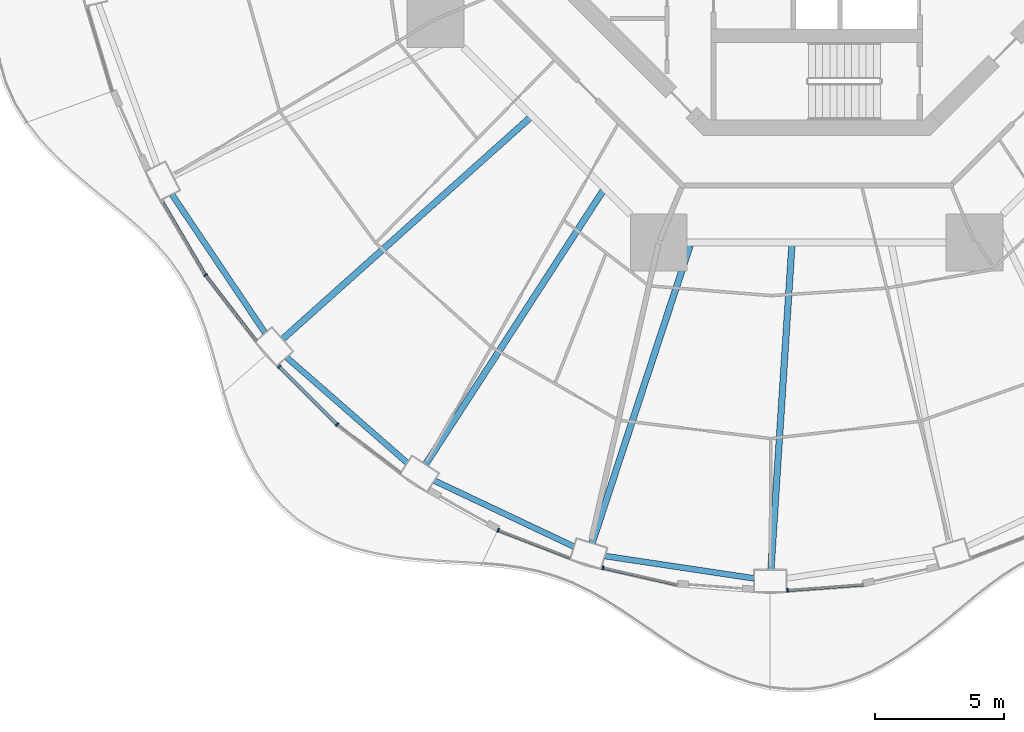
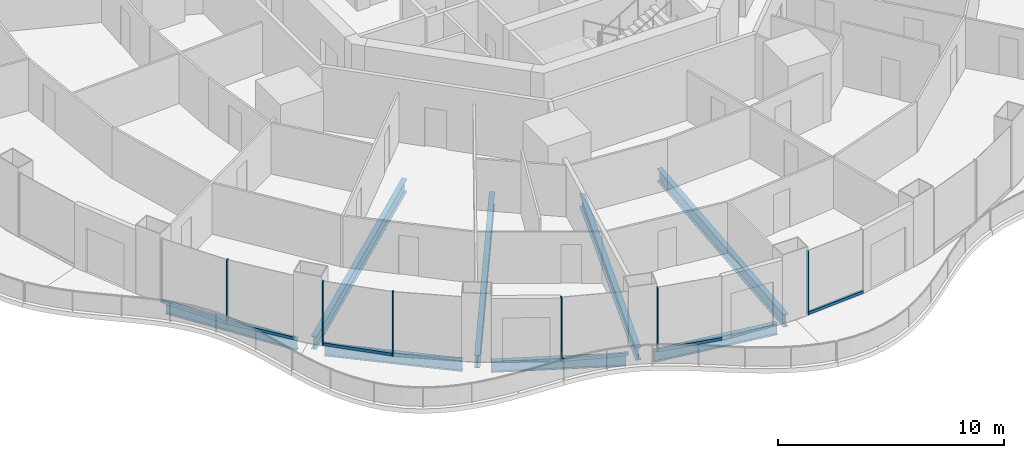
# One storey, part 2 of 24: 12 members, 8 beams, 7 elements without a shape of their own.
"""IFC4 building model written with IfcOpenShell, lengths in metres."""

from ifc_helpers import new_model, si_unit, direction, frame, origin, origin_2d, place, context, subcontext, project, spatial, rectangle, i_section, extrude, material, layer, layer_set, material_profile, profile_set, type_object, element, aggregate, save


model = new_model("IFC4")

# Units and contexts
model_context = context("Model", 3, precision=1e-05, world=origin(), true_north=direction((0.0, 1.0)))
body_context = subcontext(model_context, "Body", "Model", "MODEL_VIEW")
ifc_project = project(units=[si_unit("LENGTHUNIT", "METRE"), si_unit("AREAUNIT", "SQUARE_METRE"), si_unit("VOLUMEUNIT", "CUBIC_METRE"), si_unit("PLANEANGLEUNIT", "RADIAN"), si_unit("MASSUNIT", "GRAM", prefix="KILO")], contexts=[model_context])

# Site, building, storey
site_placement = place(None, origin())
site = spatial("IfcSite", under=ifc_project, at=site_placement, CompositionType="ELEMENT")
building_placement = place(site_placement, origin())
building = spatial("IfcBuilding", under=site, at=building_placement, Name="Nagisa Residences", CompositionType="ELEMENT")
storey_placement = place(building_placement, frame((0.0, 0.0, 102.89990234375)))
storey = spatial("IfcBuildingStorey", under=building, at=storey_placement, Name="L25", CompositionType="ELEMENT", Elevation=102.89990234375)

# Curtain wall, member
ifc_material_1 = material(Name="Concrete-coloured aluminium curtain wall system", Category="concrete")
ifc_layer = layer(ifc_material_1, 0.159912109375)
ifc_layer_set = layer_set([ifc_layer], Name="CW1 CURTAIN WALL")
curtain_wall_type = type_object("IfcCurtainWallType", Name="CW1 CURTAIN WALL", PredefinedType="NOTDEFINED", material=ifc_layer_set)
curtain_wall_1_placement = place(storey_placement, origin())
curtain_wall_1 = element("IfcCurtainWall", 1, at=curtain_wall_1_placement, inside=storey, type_object=curtain_wall_type, Name="cw:CW1:L25:29", PredefinedType="NOTDEFINED")
ifc_material_2 = material(Name="Concrete-coloured aluminium", Category="concrete")
ifc_material_profile_1 = material_profile(ifc_material_2, rectangle(XDim=0.159912109375, YDim=0.06005859375, at=origin_2d()), Name="CW1 MULLION 160x60")
ifc_profile_set_1 = profile_set([ifc_material_profile_1], Name="Concrete-coloured aluminium")
member_type_1 = type_object("IfcMemberType", Name="CW1 MULLION 160x60", PredefinedType="MULLION", material=ifc_profile_set_1)
member_1_placement = place(storey_placement, frame((-23.690185546875, -16.042236328125, 0.0), z_axis=(0.0, 0.0, 1.0), x_axis=(0.792070340816, 0.610429828235, 0.0)))
member_1 = element("IfcMember", 2, at=member_1_placement, type_object=member_type_1, Name="CW1 mullion", PredefinedType="MULLION", context=body_context, shape_type="SweptSolid", body=[
    extrude(rectangle(XDim=0.159912109375, YDim=0.06005859375, at=origin_2d()), origin(), (0.0, 0.0, 1.0), 3.440185546875),
])

curtain_wall_2_placement = place(storey_placement, origin())
curtain_wall_2 = element("IfcCurtainWall", 3, at=curtain_wall_2_placement, inside=storey, type_object=curtain_wall_type, Name="cw:CW1:L25:30", PredefinedType="NOTDEFINED")
member_2_placement = place(storey_placement, frame((-20.845458984375, -19.590576171875, 0.0), z_axis=(0.0, 0.0, 1.0), x_axis=(0.706376885714, 0.707835924016, 0.0)))
member_2 = element("IfcMember", 4, at=member_2_placement, type_object=member_type_1, Name="CW1 mullion", PredefinedType="MULLION", context=body_context, shape_type="SweptSolid", body=[
    extrude(rectangle(XDim=0.159912109375, YDim=0.06005859375, at=origin_2d()), origin(), (0.0, 0.0, 1.0), 3.440185546875),
])

curtain_wall_3_placement = place(storey_placement, origin())
curtain_wall_3 = element("IfcCurtainWall", 5, at=curtain_wall_3_placement, inside=storey, type_object=curtain_wall_type, Name="cw:CW1:L25:31", PredefinedType="NOTDEFINED")
member_3_placement = place(storey_placement, frame((-18.58740234375, -21.83935546875, 0.0), z_axis=(0.0, 0.0, 1.0), x_axis=(0.605255421737, 0.79603132756, 0.0)))
member_3 = element("IfcMember", 6, at=member_3_placement, type_object=member_type_1, Name="CW1 mullion", PredefinedType="MULLION", context=body_context, shape_type="SweptSolid", body=[
    extrude(rectangle(XDim=0.159912109375, YDim=0.06005859375, at=origin_2d()), origin(), (0.0, 0.0, 1.0), 3.440185546875),
])
aggregate(curtain_wall_3, [member_3])

curtain_wall_4_placement = place(storey_placement, origin())
curtain_wall_4 = element("IfcCurtainWall", 7, at=curtain_wall_4_placement, inside=storey, type_object=curtain_wall_type, Name="cw:CW1:L25:33", PredefinedType="NOTDEFINED")
member_4_placement = place(storey_placement, frame((-12.341552734375, -25.9345703125, 0.0), z_axis=(0.0, 0.0, 1.0), x_axis=(0.360327770268, 0.932825759707, 0.0)))
member_4 = element("IfcMember", 8, at=member_4_placement, type_object=member_type_1, Name="CW1 mullion", PredefinedType="MULLION", context=body_context, shape_type="SweptSolid", body=[
    extrude(rectangle(XDim=0.159912109375, YDim=0.06005859375, at=origin_2d()), origin(), (0.0, 0.0, 1.0), 3.440185546875),
])

curtain_wall_5_placement = place(storey_placement, origin())
curtain_wall_5 = element("IfcCurtainWall", 9, at=curtain_wall_5_placement, inside=storey, type_object=curtain_wall_type, Name="cw:CW1:L25:34", PredefinedType="NOTDEFINED")
member_5_placement = place(storey_placement, frame((-8.287109375, -27.3955078125, 0.0), z_axis=(0.0, 0.0, 1.0), x_axis=(0.2207639201, 0.975327274089, 0.0)))
member_5 = element("IfcMember", 10, at=member_5_placement, type_object=member_type_1, Name="CW1 mullion", PredefinedType="MULLION", context=body_context, shape_type="SweptSolid", body=[
    extrude(rectangle(XDim=0.159912109375, YDim=0.06005859375, at=origin_2d()), origin(), (0.0, 0.0, 1.0), 3.440185546875),
])

curtain_wall_6_placement = place(storey_placement, origin())
curtain_wall_6 = element("IfcCurtainWall", 11, at=curtain_wall_6_placement, inside=storey, type_object=curtain_wall_type, Name="cw:CW1:L25:36", PredefinedType="NOTDEFINED")
member_6_placement = place(storey_placement, frame((-1.1279296875, -28.266845703125, 0.0), z_axis=(0.0, 0.0, 1.0), x_axis=(-0.074377355493, 0.997230168512, 0.0)))
member_6 = element("IfcMember", 12, at=member_6_placement, type_object=member_type_1, Name="CW1 mullion", PredefinedType="MULLION", context=body_context, shape_type="SweptSolid", body=[
    extrude(rectangle(XDim=0.159912109375, YDim=0.06005859375, at=origin_2d()), origin(), (0.0, 0.0, 1.0), 3.440185546875),
])

curtain_wall_7_placement = place(storey_placement, origin())
curtain_wall_7 = element("IfcCurtainWall", 13, at=curtain_wall_7_placement, inside=storey, type_object=curtain_wall_type, Name="cw:CW1:L25:28", PredefinedType="NOTDEFINED")
ifc_material_3 = material(Name="Concrete-coloured aluminium", Category="concrete")
ifc_material_profile_2 = material_profile(ifc_material_3, rectangle(XDim=0.1201171875, YDim=0.14990234375, at=origin_2d()), Name="CW1 TRANSOM 120x150")
ifc_profile_set_2 = profile_set([ifc_material_profile_2], Name="Concrete-coloured aluminium")
member_type_2 = type_object("IfcMemberType", Name="CW1 TRANSOM 120x150", PredefinedType="USERDEFINED", material=ifc_profile_set_2)
member_7_placement = place(storey_placement, frame((-25.386474609375, -13.159912109375, 0.0751953125), z_axis=(0.506384588027, -0.862307746114, 0.0), x_axis=(0.862307746114, 0.506384588027, 0.0)))
member_7 = element("IfcMember", 14, at=member_7_placement, type_object=member_type_2, Name="CW1 transom", ObjectType="TRANSOM", PredefinedType="USERDEFINED", context=body_context, shape_type="SweptSolid", body=[
    extrude(rectangle(XDim=0.1201171875, YDim=0.14990234375, at=origin_2d()), origin(), (0.0, 0.0, 1.0), 3.32470703125),
])
aggregate(curtain_wall_7, [member_7])

# Member
member_8_placement = place(storey_placement, frame((-23.70849609375, -16.0185546875, 0.0751953125), z_axis=(0.61041202934, -0.792084057684, 0.0), x_axis=(0.792084057684, 0.61041202934, 0.0)))
member_8 = element("IfcMember", 15, at=member_8_placement, type_object=member_type_2, Name="CW1 transom", ObjectType="TRANSOM", PredefinedType="USERDEFINED", context=body_context, shape_type="SweptSolid", body=[
    extrude(rectangle(XDim=0.1201171875, YDim=0.14990234375, at=origin_2d()), origin(), (0.0, 0.0, 1.0), 3.262939453125),
])

aggregate(curtain_wall_1, [member_1, member_8])

member_9_placement = place(storey_placement, frame((-20.86669921875, -19.5693359375, 0.0751953125), z_axis=(0.707869817944, -0.706342920149, 0.0), x_axis=(0.706342920149, 0.707869817944, 0.0)))
member_9 = element("IfcMember", 16, at=member_9_placement, type_object=member_type_2, Name="CW1 transom", ObjectType="TRANSOM", PredefinedType="USERDEFINED", context=body_context, shape_type="SweptSolid", body=[
    extrude(rectangle(XDim=0.1201171875, YDim=0.14990234375, at=origin_2d()), origin(), (0.0, 0.0, 1.0), 3.19775390625),
])

aggregate(curtain_wall_2, [member_2, member_9])

member_10_placement = place(storey_placement, frame((-12.36962890625, -25.923828125, 0.0751953125), z_axis=(0.932837560624, -0.360297218263, 0.0), x_axis=(0.360297218263, 0.932837560624, 0.0)))
member_10 = element("IfcMember", 17, at=member_10_placement, type_object=member_type_2, Name="CW1 transom", ObjectType="TRANSOM", PredefinedType="USERDEFINED", context=body_context, shape_type="SweptSolid", body=[
    extrude(rectangle(XDim=0.1201171875, YDim=0.14990234375, at=origin_2d()), origin(), (0.0, 0.0, 1.0), 3.027587890625),
])

aggregate(curtain_wall_4, [member_4, member_10])

member_11_placement = place(storey_placement, frame((-8.31640625, -27.388916015625, 0.0751953125), z_axis=(0.975335171471, -0.220729026846, 0.0), x_axis=(0.220729026846, 0.975335171471, 0.0)))
member_11 = element("IfcMember", 18, at=member_11_placement, type_object=member_type_2, Name="CW1 transom", ObjectType="TRANSOM", PredefinedType="USERDEFINED", context=body_context, shape_type="SweptSolid", body=[
    extrude(rectangle(XDim=0.1201171875, YDim=0.14990234375, at=origin_2d()), origin(), (0.0, 0.0, 1.0), 2.992919921875),
])

aggregate(curtain_wall_5, [member_5, member_11])

member_12_placement = place(storey_placement, frame((-1.15771484375, -28.269287109375, 0.0751953125), z_axis=(0.997226174467, 0.074430887117, 0.0), x_axis=(-0.074430887117, 0.997226174467, 0.0)))
member_12 = element("IfcMember", 19, at=member_12_placement, type_object=member_type_2, Name="CW1 transom", ObjectType="TRANSOM", PredefinedType="USERDEFINED", context=body_context, shape_type="SweptSolid", body=[
    extrude(rectangle(XDim=0.1201171875, YDim=0.14990234375, at=origin_2d()), origin(), (0.0, 0.0, 1.0), 2.97509765625),
])

aggregate(curtain_wall_6, [member_6, member_12])

# Beams
ifc_material_4 = material(Name="Steel ASTM A572 Gr 50", Category="steel")
ifc_material_profile_3 = material_profile(ifc_material_4, i_section(OverallWidth=0.22802734375, OverallDepth=0.60302734375, WebThickness=0.010498046875, FlangeThickness=0.014892578125, at=origin_2d()), Name="W610x101")
ifc_profile_set_3 = profile_set([ifc_material_profile_3], Name="Steel ASTM A572 Gr 50")
beam_type_1 = type_object("IfcBeamType", Name="Perimeter ring beam W610x101", PredefinedType="BEAM", material=ifc_profile_set_3)
beam_1_placement = place(storey_placement, frame((-24.9970703125, -12.91650390625, -0.5615234375), z_axis=(0.558203607151, -0.829704003222, 0.0), x_axis=(0.829704003222, 0.558203607151, 0.0)))
element("IfcBeam", 20, at=beam_1_placement, inside=storey, type_object=beam_type_1, Name="beam:L25:pb15", PredefinedType="BEAM", context=body_context, shape_type="SweptSolid", body=[
    extrude(i_section(OverallWidth=0.22802734375, OverallDepth=0.60302734375, WebThickness=0.010498046875, FlangeThickness=0.014892578125, at=origin_2d()), origin(), (0.0, 0.0, 1.0), 6.4716796875),
])
beam_2_placement = place(storey_placement, frame((-20.551513671875, -19.231689453125, -0.5615234375), z_axis=(0.752542612886, -0.658543556488, 0.0), x_axis=(0.658543556488, 0.752542612886, 0.0)))
element("IfcBeam", 21, at=beam_2_placement, inside=storey, type_object=beam_type_1, Name="beam:L25:pb16", PredefinedType="BEAM", context=body_context, shape_type="SweptSolid", body=[
    extrude(i_section(OverallWidth=0.22802734375, OverallDepth=0.60302734375, WebThickness=0.010498046875, FlangeThickness=0.014892578125, at=origin_2d()), origin(), (0.0, 0.0, 1.0), 6.212646484375),
])
beam_3_placement = place(storey_placement, frame((-14.822021484375, -24.013916015625, -0.5615234375), z_axis=(0.90418952838, -0.427131474804, 0.0), x_axis=(0.427131474804, 0.90418952838, 0.0)))
element("IfcBeam", 22, at=beam_3_placement, inside=storey, type_object=beam_type_1, Name="beam:L25:pb17", PredefinedType="BEAM", context=body_context, shape_type="SweptSolid", body=[
    extrude(i_section(OverallWidth=0.22802734375, OverallDepth=0.60302734375, WebThickness=0.010498046875, FlangeThickness=0.014892578125, at=origin_2d()), origin(), (0.0, 0.0, 1.0), 5.98046875),
])
beam_4_placement = place(storey_placement, frame((-8.20849609375, -26.93505859375, -0.5615234375), z_axis=(0.988913048607, -0.148495731568, 0.0), x_axis=(0.148495731568, 0.988913048607, 0.0)))
element("IfcBeam", 23, at=beam_4_placement, inside=storey, type_object=beam_type_1, Name="beam:L25:pb18", PredefinedType="BEAM", context=body_context, shape_type="SweptSolid", body=[
    extrude(i_section(OverallWidth=0.22802734375, OverallDepth=0.60302734375, WebThickness=0.010498046875, FlangeThickness=0.014892578125, at=origin_2d()), origin(), (0.0, 0.0, 1.0), 5.843017578125),
])
ifc_material_5 = material(Name="Steel ASTM A572 Gr 50", Category="steel")
ifc_material_profile_4 = material_profile(ifc_material_5, i_section(OverallWidth=0.2529296875, OverallDepth=0.677978515625, WebThickness=0.01171875, FlangeThickness=0.016357421875, at=origin_2d()), Name="W690x125")
ifc_profile_set_4 = profile_set([ifc_material_profile_4], Name="Steel ASTM A572 Gr 50")
beam_type_2 = type_object("IfcBeamType", Name="Radial beam W690x125", PredefinedType="BEAM", material=ifc_profile_set_4)
beam_5_placement = place(storey_placement, frame((-20.709228515625, -18.526611328125, -0.598876953125), z_axis=(0.745284973843, 0.666746059428, 0.0), x_axis=(-0.666746059428, 0.745284973843, 0.0)))
element("IfcBeam", 24, at=beam_5_placement, inside=storey, type_object=beam_type_2, Name="beam:L25:rb16", PredefinedType="BEAM", context=body_context, shape_type="SweptSolid", body=[
    extrude(i_section(OverallWidth=0.2529296875, OverallDepth=0.677978515625, WebThickness=0.01171875, FlangeThickness=0.016357421875, at=origin_2d()), origin(), (0.0, 0.0, 1.0), 12.869384765625),
])
beam_6_placement = place(storey_placement, frame((-15.16357421875, -23.38134765625, -0.598876953125), z_axis=(0.544121648903, 0.839006335611, 0.0), x_axis=(-0.839006335611, 0.544121648903, 0.0)))
element("IfcBeam", 25, at=beam_6_placement, inside=storey, type_object=beam_type_2, Name="beam:L25:rb17", PredefinedType="BEAM", context=body_context, shape_type="SweptSolid", body=[
    extrude(i_section(OverallWidth=0.2529296875, OverallDepth=0.677978515625, WebThickness=0.01171875, FlangeThickness=0.016357421875, at=origin_2d()), origin(), (0.0, 0.0, 1.0), 12.63818359375),
])
beam_7_placement = place(storey_placement, frame((-8.7041015625, -26.431884765625, -0.598876953125), z_axis=(0.312788454633, 0.94982281645, 0.0), x_axis=(-0.94982281645, 0.312788454633, 0.0)))
element("IfcBeam", 26, at=beam_7_placement, inside=storey, type_object=beam_type_2, Name="beam:L25:rb18", PredefinedType="BEAM", context=body_context, shape_type="SweptSolid", body=[
    extrude(i_section(OverallWidth=0.2529296875, OverallDepth=0.677978515625, WebThickness=0.01171875, FlangeThickness=0.016357421875, at=origin_2d()), origin(), (0.0, 0.0, 1.0), 12.145751953125),
])
beam_8_placement = place(storey_placement, frame((-1.772216796875, -27.46728515625, -0.598876953125), z_axis=(0.064392860553, 0.997924626167, 0.0), x_axis=(-0.997924626167, 0.064392860553, 0.0)))
element("IfcBeam", 27, at=beam_8_placement, inside=storey, type_object=beam_type_2, Name="beam:L25:rb19", PredefinedType="BEAM", context=body_context, shape_type="SweptSolid", body=[
    extrude(i_section(OverallWidth=0.2529296875, OverallDepth=0.677978515625, WebThickness=0.01171875, FlangeThickness=0.016357421875, at=origin_2d()), origin(), (0.0, 0.0, 1.0), 12.598876953125),
])

save(model, "model.ifc")
